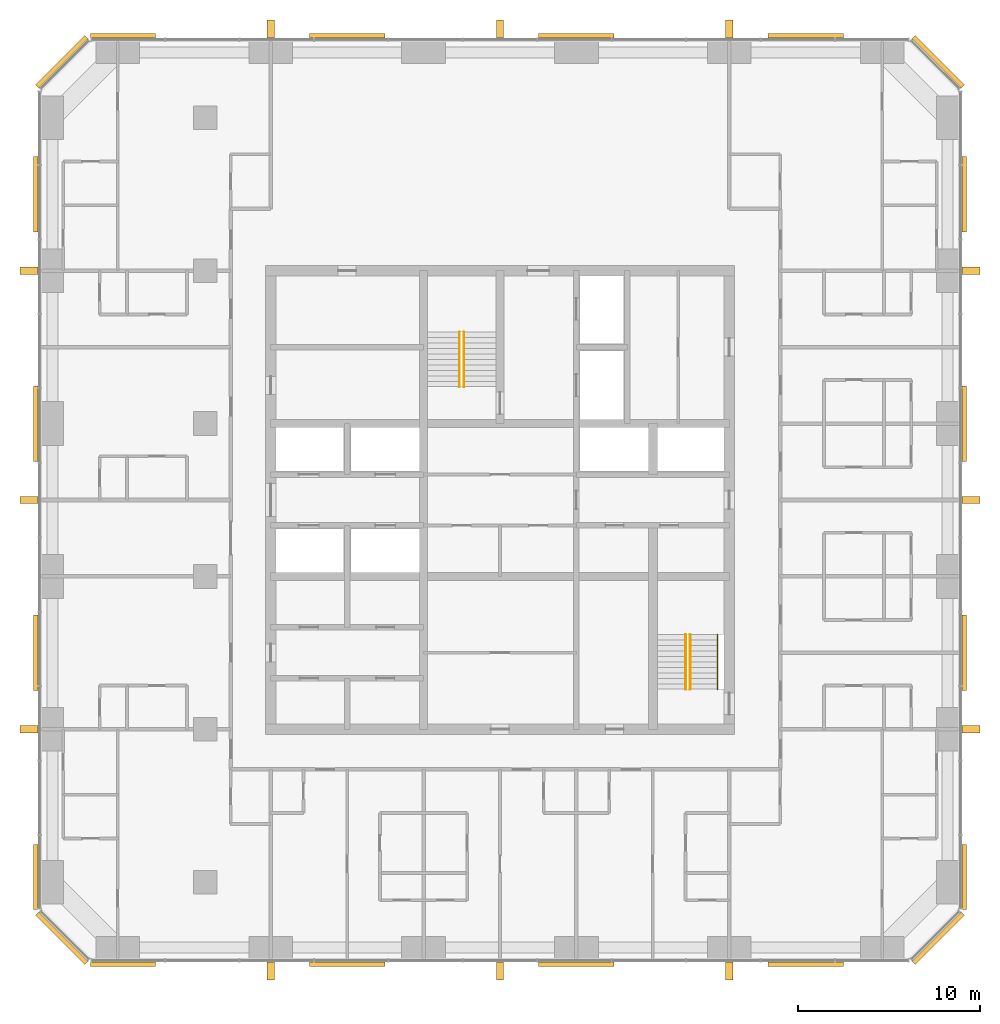
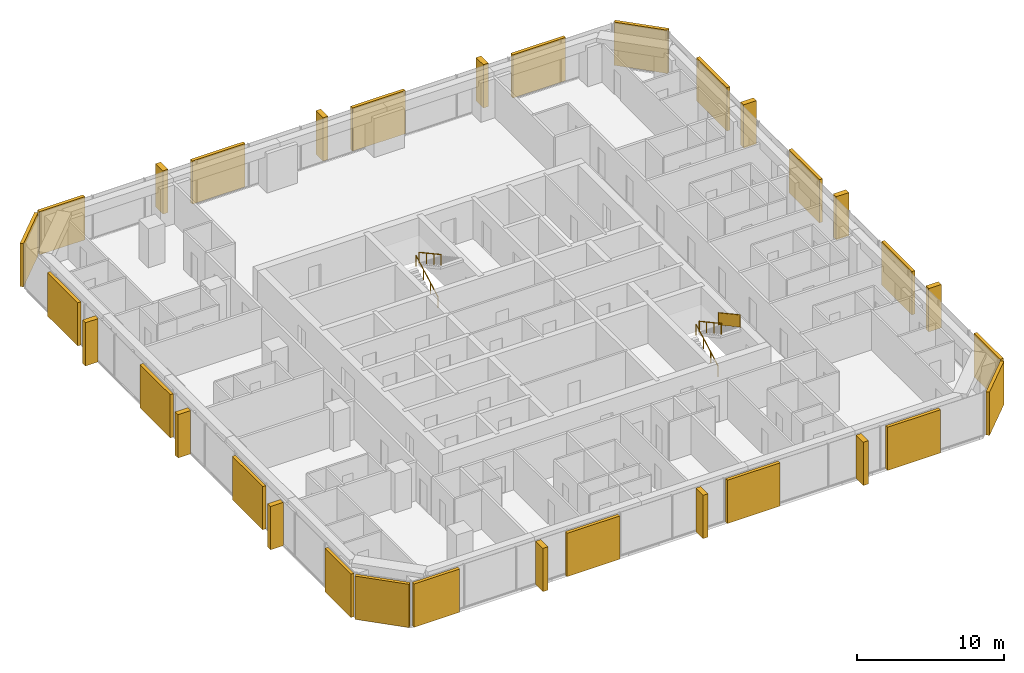
# One storey, part 14 of 14: 20 coverings, 12 shading devices, 5 railings.
"""IFC4 building model written with IfcOpenShell, lengths in metres."""

from ifc_helpers import new_model, si_unit, direction, frame, origin, origin_2d, place, context, subcontext, project, spatial, polyline, rectangle, circle, outline, extrude, material, layer, layer_set, type_object, element, save


model = new_model("IFC4")

# Units and contexts
model_context = context("Model", 3, precision=1e-05, world=origin(), true_north=direction((0.0, 1.0)))
body_context = subcontext(model_context, "Body", "Model", "MODEL_VIEW")
ifc_project = project(units=[si_unit("LENGTHUNIT", "METRE"), si_unit("AREAUNIT", "SQUARE_METRE"), si_unit("VOLUMEUNIT", "CUBIC_METRE"), si_unit("PLANEANGLEUNIT", "RADIAN"), si_unit("MASSUNIT", "GRAM", prefix="KILO")], contexts=[model_context])

# Site, building, storey
site_placement = place(None, origin())
site = spatial("IfcSite", under=ifc_project, at=site_placement, CompositionType="ELEMENT")
building_placement = place(site_placement, origin())
building = spatial("IfcBuilding", under=site, at=building_placement, Name="Dunama Terrace Hotel", CompositionType="ELEMENT")
storey_placement = place(building_placement, frame((0.0, 0.0, 184.199951171875)))
storey = spatial("IfcBuildingStorey", under=building, at=storey_placement, Name="L47", CompositionType="ELEMENT", Elevation=184.199951171875)

# Railings
ifc_material_1 = material(Name="Stainless steel and laminated glass guard", Category="steel")
railing_type_1 = type_object("IfcRailingType", Name="Guard 1100", PredefinedType="GUARDRAIL", material=ifc_material_1)
railing_1_placement = place(storey_placement, frame((41.35009765625, 22.0, 1.963623046875)))
element("IfcRailing", 1, at=railing_1_placement, inside=storey, type_object=railing_type_1, Name="Stair guard ST2 L47", PredefinedType="GUARDRAIL", context=body_context, shape_type="SweptSolid", body=[
    extrude(circle(Radius=0.02392578125, at=origin_2d()), frame((0.0, 0.0, 1.076171875), z_axis=(0.0, -0.877881921179, 0.478877158013), x_axis=(1.0, 0.0, 0.0)), (0.0, 0.0, 1.0), 3.417236328125),
    extrude(circle(Radius=0.02099609375, at=origin_2d()), origin(), (0.0, 0.0, 1.0), 1.052001953125),
    extrude(circle(Radius=0.02099609375, at=origin_2d()), frame((0.0, -1.0, 0.54541015625)), (0.0, 0.0, 1.0), 1.052001953125),
    extrude(circle(Radius=0.02099609375, at=origin_2d()), frame((0.0, -2.0, 1.091064453125)), (0.0, 0.0, 1.0), 1.052001953125),
    extrude(circle(Radius=0.02099609375, at=origin_2d()), frame((0.0, -3.0, 1.636474609375)), (0.0, 0.0, 1.0), 1.052001953125),
    extrude(outline(polyline([(0.0048828125, 0.052734375), (0.9951171875, 0.5927734375), (0.9951171875, 1.618896484375), (0.0048828125, 1.07861328125), (0.0048828125, 0.052734375)])), frame((0.0087890625, 0.0, 0.0), z_axis=(-1.0, 0.0, 0.0), x_axis=(0.0, -1.0, 0.0)), (0.0, 0.0, 1.0), 0.017578125),
    extrude(outline(polyline([(0.0048828125, 0.052734375), (0.9951171875, 0.5927734375), (0.9951171875, 1.618896484375), (0.0048828125, 1.07861328125), (0.0048828125, 0.052734375)])), frame((0.0087890625, -1.0, 0.54541015625), z_axis=(-1.0, 0.0, 0.0), x_axis=(0.0, -1.0, 0.0)), (0.0, 0.0, 1.0), 0.017578125),
    extrude(outline(polyline([(0.0048828125, 0.052734375), (0.9951171875, 0.5927734375), (0.9951171875, 1.618896484375), (0.0048828125, 1.07861328125), (0.0048828125, 0.052734375)])), frame((0.0087890625, -2.0, 1.091064453125), z_axis=(-1.0, 0.0, 0.0), x_axis=(0.0, -1.0, 0.0)), (0.0, 0.0, 1.0), 0.017578125),
])
ifc_material_2 = material(Name="Stainless steel handrail", Category="steel")
railing_type_2 = type_object("IfcRailingType", Name="Stair handrail 900", PredefinedType="HANDRAIL", material=ifc_material_2)
railing_2_placement = place(storey_placement, frame((27.175048828125, 35.625, 0.16357421875)))
element("IfcRailing", 2, at=railing_2_placement, inside=storey, type_object=railing_type_2, Name="Handrail ST1 L47", PredefinedType="HANDRAIL", context=body_context, shape_type="SweptSolid", body=[
    extrude(circle(Radius=0.02392578125, at=origin_2d()), frame((0.0, 0.0, 0.8759765625), z_axis=(0.0, 0.877881921179, 0.478877158013), x_axis=(-1.0, 0.0, 0.0)), (0.0, 0.0, 1.0), 3.417236328125),
    extrude(circle(Radius=0.02099609375, at=origin_2d()), origin(), (0.0, 0.0, 1.0), 0.851806640625),
    extrude(circle(Radius=0.02099609375, at=origin_2d()), frame((0.0, 1.0, 0.54541015625)), (0.0, 0.0, 1.0), 0.851806640625),
    extrude(circle(Radius=0.02099609375, at=origin_2d()), frame((0.0, 2.0, 1.091064453125)), (0.0, 0.0, 1.0), 0.851806640625),
    extrude(circle(Radius=0.02099609375, at=origin_2d()), frame((0.0, 3.0, 1.636474609375)), (0.0, 0.0, 1.0), 0.851806640625),
])
railing_3_placement = place(storey_placement, frame((27.425048828125, 38.625, 1.963623046875)))
element("IfcRailing", 3, at=railing_3_placement, inside=storey, type_object=railing_type_2, Name="Handrail ST1 L47", PredefinedType="HANDRAIL", context=body_context, shape_type="SweptSolid", body=[
    extrude(circle(Radius=0.02392578125, at=origin_2d()), frame((0.0, 0.0, 0.8759765625), z_axis=(0.0, -0.877881921179, 0.478877158013), x_axis=(1.0, 0.0, 0.0)), (0.0, 0.0, 1.0), 3.417236328125),
    extrude(circle(Radius=0.02099609375, at=origin_2d()), origin(), (0.0, 0.0, 1.0), 0.851806640625),
    extrude(circle(Radius=0.02099609375, at=origin_2d()), frame((0.0, -1.0, 0.54541015625)), (0.0, 0.0, 1.0), 0.851806640625),
    extrude(circle(Radius=0.02099609375, at=origin_2d()), frame((0.0, -2.0, 1.091064453125)), (0.0, 0.0, 1.0), 0.851806640625),
    extrude(circle(Radius=0.02099609375, at=origin_2d()), frame((0.0, -3.0, 1.636474609375)), (0.0, 0.0, 1.0), 0.851806640625),
])
railing_4_placement = place(storey_placement, frame((39.60009765625, 19.0, 0.16357421875)))
element("IfcRailing", 4, at=railing_4_placement, inside=storey, type_object=railing_type_2, Name="Handrail ST2 L47", PredefinedType="HANDRAIL", context=body_context, shape_type="SweptSolid", body=[
    extrude(circle(Radius=0.02392578125, at=origin_2d()), frame((0.0, 0.0, 0.8759765625), z_axis=(0.0, 0.877881921179, 0.478877158013), x_axis=(-1.0, 0.0, 0.0)), (0.0, 0.0, 1.0), 3.417236328125),
    extrude(circle(Radius=0.02099609375, at=origin_2d()), origin(), (0.0, 0.0, 1.0), 0.851806640625),
    extrude(circle(Radius=0.02099609375, at=origin_2d()), frame((0.0, 1.0, 0.54541015625)), (0.0, 0.0, 1.0), 0.851806640625),
    extrude(circle(Radius=0.02099609375, at=origin_2d()), frame((0.0, 2.0, 1.091064453125)), (0.0, 0.0, 1.0), 0.851806640625),
    extrude(circle(Radius=0.02099609375, at=origin_2d()), frame((0.0, 3.0, 1.636474609375)), (0.0, 0.0, 1.0), 0.851806640625),
])
railing_5_placement = place(storey_placement, frame((39.85009765625, 22.0, 1.963623046875)))
element("IfcRailing", 5, at=railing_5_placement, inside=storey, type_object=railing_type_2, Name="Handrail ST2 L47", PredefinedType="HANDRAIL", context=body_context, shape_type="SweptSolid", body=[
    extrude(circle(Radius=0.02392578125, at=origin_2d()), frame((0.0, 0.0, 0.8759765625), z_axis=(0.0, -0.877881921179, 0.478877158013), x_axis=(1.0, 0.0, 0.0)), (0.0, 0.0, 1.0), 3.417236328125),
    extrude(circle(Radius=0.02099609375, at=origin_2d()), origin(), (0.0, 0.0, 1.0), 0.851806640625),
    extrude(circle(Radius=0.02099609375, at=origin_2d()), frame((0.0, -1.0, 0.54541015625)), (0.0, 0.0, 1.0), 0.851806640625),
    extrude(circle(Radius=0.02099609375, at=origin_2d()), frame((0.0, -2.0, 1.091064453125)), (0.0, 0.0, 1.0), 0.851806640625),
    extrude(circle(Radius=0.02099609375, at=origin_2d()), frame((0.0, -3.0, 1.636474609375)), (0.0, 0.0, 1.0), 0.851806640625),
])

# Coverings
ifc_material_3 = material(Name="Warm reconstituted stone panel", Category="masonry")
ifc_layer_1 = layer(ifc_material_3, 0.25)
ifc_layer_set_1 = layer_set([ifc_layer_1], Name="Stone diagonal panel")
covering_type = type_object("IfcCoveringType", Name="Stone diagonal panel", PredefinedType="CLADDING", material=ifc_layer_set_1)
covering_1_placement = place(storey_placement, frame((8.68994140625, 3.876953125, 0.001953125), z_axis=(0.0, 0.0, 1.0), x_axis=(1.0, 0.0, 0.0)))
element("IfcCovering", 6, at=covering_1_placement, inside=storey, type_object=covering_type, Name="Stone diagonal panel L47", PredefinedType="CLADDING", context=body_context, shape_type="SweptSolid", body=[
    extrude(rectangle(XDim=3.570068359375, YDim=0.25, at=origin_2d()), origin(), (0.0, 0.0, 1.0), 3.595947265625),
])
for number, where, z_axis, x_axis, name in (
    (7, (21.0, 3.876953125, 0.001953125), (0.0, 0.0, 1.0), (1.0, 0.0, 0.0), "Stone diagonal panel L47"),
    (8, (33.60009765625, 3.876953125, 0.001953125), (0.0, 0.0, 1.0), (1.0, 0.0, 0.0), "Stone diagonal panel L47"),
    (9, (46.199951171875, 3.876953125, 0.001953125), (0.0, 0.0, 1.0), (1.0, 0.0, 0.0), "Stone diagonal panel L47"),
):
    element("IfcCovering", number, at=place(storey_placement, frame(where, z_axis=z_axis, x_axis=x_axis)), inside=storey, type_object=covering_type, Name=name, PredefinedType="CLADDING", context=body_context, shape_type="SweptSolid", body=[
        extrude(rectangle(XDim=4.14990234375, YDim=0.25, at=origin_2d()), origin(), (0.0, 0.0, 1.0), 3.595947265625),
    ])
covering_2_placement = place(storey_placement, frame((53.47900390625, 5.321044921875, 0.001953125), z_axis=(0.0, 0.0, 1.0), x_axis=(0.707106781187, 0.707106781187, 0.0)))
element("IfcCovering", 10, at=covering_2_placement, inside=storey, type_object=covering_type, Name="Stone diagonal panel L47", PredefinedType="CLADDING", context=body_context, shape_type="SweptSolid", body=[
    extrude(rectangle(XDim=3.808349609375, YDim=0.25, at=origin_2d()), origin(), (0.0, 0.0, 1.0), 3.595947265625),
])
covering_3_placement = place(storey_placement, frame((54.923095703125, 8.68994140625, 0.001953125), z_axis=(0.0, 0.0, 1.0), x_axis=(0.0, 1.0, 0.0)))
element("IfcCovering", 11, at=covering_3_placement, inside=storey, type_object=covering_type, Name="Stone diagonal panel L47", PredefinedType="CLADDING", context=body_context, shape_type="SweptSolid", body=[
    extrude(rectangle(XDim=3.570068359375, YDim=0.25, at=origin_2d()), origin(), (0.0, 0.0, 1.0), 3.595947265625),
])
for number, where, z_axis, x_axis, name in (
    (12, (54.923095703125, 21.0, 0.001953125), (0.0, 0.0, 1.0), (0.0, 1.0, 0.0), "Stone diagonal panel L47"),
    (13, (54.923095703125, 33.60009765625, 0.001953125), (0.0, 0.0, 1.0), (0.0, 1.0, 0.0), "Stone diagonal panel L47"),
    (14, (54.923095703125, 46.199951171875, 0.001953125), (0.0, 0.0, 1.0), (0.0, 1.0, 0.0), "Stone diagonal panel L47"),
):
    element("IfcCovering", number, at=place(storey_placement, frame(where, z_axis=z_axis, x_axis=x_axis)), inside=storey, type_object=covering_type, Name=name, PredefinedType="CLADDING", context=body_context, shape_type="SweptSolid", body=[
        extrude(rectangle(XDim=4.14990234375, YDim=0.25, at=origin_2d()), origin(), (0.0, 0.0, 1.0), 3.595947265625),
    ])
covering_4_placement = place(storey_placement, frame((53.47900390625, 53.47900390625, 0.001953125), z_axis=(0.0, 0.0, 1.0), x_axis=(-0.707106781187, 0.707106781187, 0.0)))
element("IfcCovering", 15, at=covering_4_placement, inside=storey, type_object=covering_type, Name="Stone diagonal panel L47", PredefinedType="CLADDING", context=body_context, shape_type="SweptSolid", body=[
    extrude(rectangle(XDim=3.808349609375, YDim=0.25, at=origin_2d()), origin(), (0.0, 0.0, 1.0), 3.595947265625),
])
for number, where, z_axis, x_axis, name in (
    (16, (46.199951171875, 54.923095703125, 0.001953125), (0.0, 0.0, 1.0), (-1.0, 0.0, 0.0), "Stone diagonal panel L47"),
    (17, (33.60009765625, 54.923095703125, 0.001953125), (0.0, 0.0, 1.0), (-1.0, 0.0, 0.0), "Stone diagonal panel L47"),
    (18, (21.0, 54.923095703125, 0.001953125), (0.0, 0.0, 1.0), (-1.0, 0.0, 0.0), "Stone diagonal panel L47"),
):
    element("IfcCovering", number, at=place(storey_placement, frame(where, z_axis=z_axis, x_axis=x_axis)), inside=storey, type_object=covering_type, Name=name, PredefinedType="CLADDING", context=body_context, shape_type="SweptSolid", body=[
        extrude(rectangle(XDim=4.14990234375, YDim=0.25, at=origin_2d()), origin(), (0.0, 0.0, 1.0), 3.595947265625),
    ])
covering_5_placement = place(storey_placement, frame((8.68994140625, 54.923095703125, 0.001953125), z_axis=(0.0, 0.0, 1.0), x_axis=(-1.0, 0.0, 0.0)))
element("IfcCovering", 19, at=covering_5_placement, inside=storey, type_object=covering_type, Name="Stone diagonal panel L47", PredefinedType="CLADDING", context=body_context, shape_type="SweptSolid", body=[
    extrude(rectangle(XDim=3.570068359375, YDim=0.25, at=origin_2d()), origin(), (0.0, 0.0, 1.0), 3.595947265625),
])
covering_6_placement = place(storey_placement, frame((5.321044921875, 53.47900390625, 0.001953125), z_axis=(0.0, 0.0, 1.0), x_axis=(-0.707106781187, -0.707106781187, 0.0)))
element("IfcCovering", 20, at=covering_6_placement, inside=storey, type_object=covering_type, Name="Stone diagonal panel L47", PredefinedType="CLADDING", context=body_context, shape_type="SweptSolid", body=[
    extrude(rectangle(XDim=3.808349609375, YDim=0.25, at=origin_2d()), origin(), (0.0, 0.0, 1.0), 3.595947265625),
])
for number, where, z_axis, x_axis, name in (
    (21, (3.876953125, 46.199951171875, 0.001953125), (0.0, 0.0, 1.0), (0.0, -1.0, 0.0), "Stone diagonal panel L47"),
    (22, (3.876953125, 33.60009765625, 0.001953125), (0.0, 0.0, 1.0), (0.0, -1.0, 0.0), "Stone diagonal panel L47"),
    (23, (3.876953125, 21.0, 0.001953125), (0.0, 0.0, 1.0), (0.0, -1.0, 0.0), "Stone diagonal panel L47"),
):
    element("IfcCovering", number, at=place(storey_placement, frame(where, z_axis=z_axis, x_axis=x_axis)), inside=storey, type_object=covering_type, Name=name, PredefinedType="CLADDING", context=body_context, shape_type="SweptSolid", body=[
        extrude(rectangle(XDim=4.14990234375, YDim=0.25, at=origin_2d()), origin(), (0.0, 0.0, 1.0), 3.595947265625),
    ])
covering_7_placement = place(storey_placement, frame((3.876953125, 8.68994140625, 0.001953125), z_axis=(0.0, 0.0, 1.0), x_axis=(0.0, -1.0, 0.0)))
element("IfcCovering", 24, at=covering_7_placement, inside=storey, type_object=covering_type, Name="Stone diagonal panel L47", PredefinedType="CLADDING", context=body_context, shape_type="SweptSolid", body=[
    extrude(rectangle(XDim=3.570068359375, YDim=0.25, at=origin_2d()), origin(), (0.0, 0.0, 1.0), 3.595947265625),
])
covering_8_placement = place(storey_placement, frame((5.321044921875, 5.321044921875, 0.001953125), z_axis=(0.0, 0.0, 1.0), x_axis=(0.707106781187, -0.707106781187, 0.0)))
element("IfcCovering", 25, at=covering_8_placement, inside=storey, type_object=covering_type, Name="Stone diagonal panel L47", PredefinedType="CLADDING", context=body_context, shape_type="SweptSolid", body=[
    extrude(rectangle(XDim=3.808349609375, YDim=0.25, at=origin_2d()), origin(), (0.0, 0.0, 1.0), 3.595947265625),
])

# Shading devices
ifc_material_4 = material(Name="Warm reconstituted stone fin", Category="masonry")
ifc_layer_2 = layer(ifc_material_4, 0.39990234375)
ifc_layer_set_2 = layer_set([ifc_layer_2], Name="Warm stone fin 400x1000")
shading_device_type = type_object("IfcShadingDeviceType", Name="Warm stone fin 400x1000", PredefinedType="USERDEFINED", material=ifc_layer_set_2)
for number, where, z_axis, x_axis, name in (
    (26, (16.800048828125, 3.52197265625, 0.0), (0.0, 0.0, 1.0), (1.0, 0.0, 0.0), "Stone fin"),
    (27, (29.39990234375, 3.52197265625, 0.0), (0.0, 0.0, 1.0), (1.0, 0.0, 0.0), "Stone fin"),
    (28, (42.0, 3.52197265625, 0.0), (0.0, 0.0, 1.0), (1.0, 0.0, 0.0), "Stone fin"),
    (29, (55.278076171875, 16.800048828125, 0.0), (0.0, 0.0, 1.0), (0.0, 1.0, 0.0), "Stone fin"),
    (30, (55.278076171875, 29.39990234375, 0.0), (0.0, 0.0, 1.0), (0.0, 1.0, 0.0), "Stone fin"),
    (31, (55.278076171875, 42.0, 0.0), (0.0, 0.0, 1.0), (0.0, 1.0, 0.0), "Stone fin"),
    (32, (42.0, 55.278076171875, 0.0), (0.0, 0.0, 1.0), (-1.0, 0.0, 0.0), "Stone fin"),
    (33, (29.39990234375, 55.278076171875, 0.0), (0.0, 0.0, 1.0), (-1.0, 0.0, 0.0), "Stone fin"),
    (34, (16.800048828125, 55.278076171875, 0.0), (0.0, 0.0, 1.0), (-1.0, 0.0, 0.0), "Stone fin"),
    (35, (3.52197265625, 42.0, 0.0), (0.0, 0.0, 1.0), (0.0, -1.0, 0.0), "Stone fin"),
    (36, (3.52197265625, 29.39990234375, 0.0), (0.0, 0.0, 1.0), (0.0, -1.0, 0.0), "Stone fin"),
    (37, (3.52197265625, 16.800048828125, 0.0), (0.0, 0.0, 1.0), (0.0, -1.0, 0.0), "Stone fin"),
):
    element("IfcShadingDevice", number, at=place(storey_placement, frame(where, z_axis=z_axis, x_axis=x_axis)), inside=storey, type_object=shading_device_type, Name=name, ObjectType="FIN", PredefinedType="USERDEFINED", context=body_context, shape_type="SweptSolid", body=[
        extrude(rectangle(XDim=0.39990234375, YDim=1.0, at=origin_2d()), origin(), (0.0, 0.0, 1.0), 3.60009765625),
    ])

save(model, "model.ifc")
